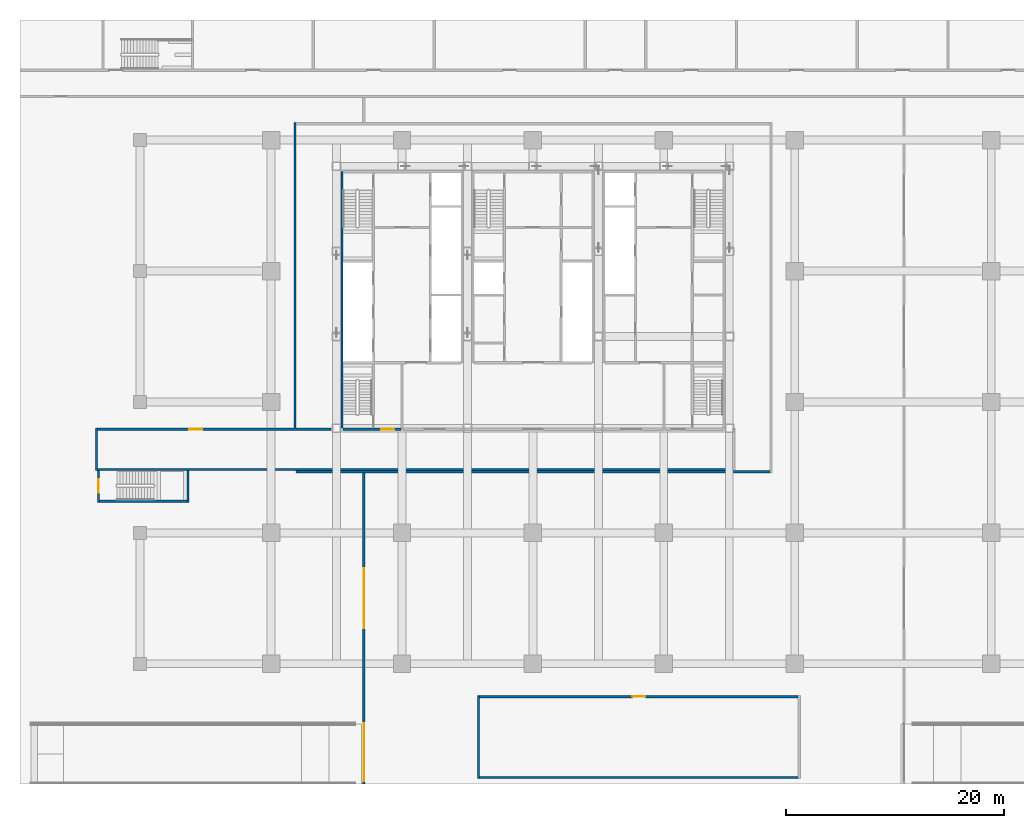
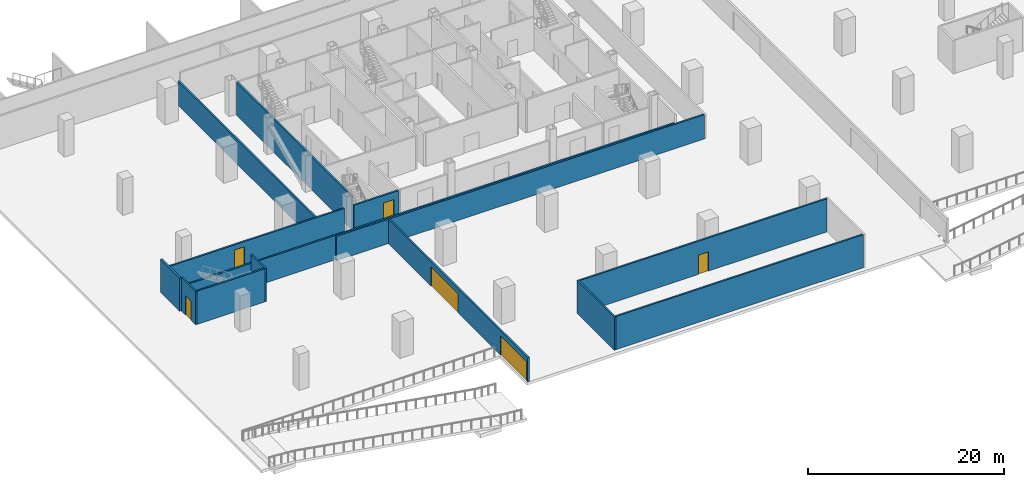
# One storey, part 3 of 15: 14 walls, 6 doors, 6 openings.
"""IFC4 building model written with IfcOpenShell, lengths in metres."""

from ifc_helpers import new_model, si_unit, direction, frame, frame_2d, origin, place, context, subcontext, project, spatial, rectangle, extrude, material, layer, layer_set, type_object, element, fill, save


model = new_model("IFC4")

# Units and contexts
model_context = context("Model", 3, precision=1e-05, world=origin(), true_north=direction((0.0, 1.0)))
body_context = subcontext(model_context, "Body", "Model", "MODEL_VIEW")
ifc_project = project(units=[si_unit("LENGTHUNIT", "METRE"), si_unit("AREAUNIT", "SQUARE_METRE"), si_unit("VOLUMEUNIT", "CUBIC_METRE"), si_unit("PLANEANGLEUNIT", "RADIAN"), si_unit("MASSUNIT", "GRAM", prefix="KILO")], contexts=[model_context])

# Site, building, storey
site_placement = place(None, origin())
site = spatial("IfcSite", under=ifc_project, at=site_placement, CompositionType="ELEMENT")
building_placement = place(site_placement, origin())
building = spatial("IfcBuilding", under=site, at=building_placement, Name="Sorahane Residences", CompositionType="ELEMENT")
storey_placement = place(building_placement, frame((0.0, 0.0, -9.0)))
storey = spatial("IfcBuildingStorey", under=building, at=storey_placement, Name="B2", CompositionType="ELEMENT", Elevation=-9.0)

# Walls
ifc_material_1 = material(Name="Concrete C30", Category="concrete")
ifc_layer_1 = layer(ifc_material_1, 0.199951171875)
ifc_layer_set_1 = layer_set([ifc_layer_1], Name="Core face wall 200 EI 180")
wall_type_1 = type_object("IfcWallType", Name="Core face wall 200 EI 180", PredefinedType="SOLIDWALL", material=ifc_layer_set_1)
wall_1_placement = place(storey_placement, frame((6.5, 21.60009765625, 0.0), z_axis=(0.0, 0.0, 1.0), x_axis=(0.0, 1.0, 0.0)))
element("IfcWall", 1, at=wall_1_placement, inside=storey, type_object=wall_type_1, Name="B2 core face wall", PredefinedType="SOLIDWALL", context=body_context, shape_type="SweptSolid", body=[
    extrude(rectangle(XDim=23.5, YDim=0.199951171875, at=frame_2d((11.75, 0.0))), origin(), (0.0, 0.0, 1.0), 4.139892578125),
])
ifc_material_2 = material(Name="Concrete blockwork C20 wall", Category="masonry")
ifc_layer_2 = layer(ifc_material_2, 0.199951171875)
ifc_layer_set_2 = layer_set([ifc_layer_2], Name="Fire wall 200 EI 120")
wall_type_2 = type_object("IfcWallType", Name="Fire wall 200 EI 120", PredefinedType="SOLIDWALL", material=ifc_layer_set_2)
wall_2_placement = place(storey_placement, frame((-16.0, 17.699951171875, 0.0), z_axis=(0.0, 0.0, 1.0), x_axis=(0.0, 1.0, 0.0)))
element("IfcWall", 2, at=wall_2_placement, inside=storey, type_object=wall_type_2, Name="B2 fire wall", PredefinedType="SOLIDWALL", context=body_context, shape_type="SweptSolid", body=[
    extrude(rectangle(XDim=3.900146484375, YDim=0.199951171875, at=frame_2d((1.9501953125, 0.0))), origin(), (0.0, 0.0, 1.0), 4.139892578125),
])

# Wall, opening, door
wall_3_placement = place(storey_placement, frame((-15.800048828125, 14.800048828125, 0.0), z_axis=(0.0, 0.0, 1.0), x_axis=(0.0, 1.0, 0.0)))
wall_3 = element("IfcWall", 3, at=wall_3_placement, inside=storey, type_object=wall_type_2, Name="B2 fire wall", PredefinedType="SOLIDWALL", context=body_context, shape_type="SweptSolid", body=[
    extrude(rectangle(XDim=2.89990234375, YDim=0.199951171875, at=frame_2d((1.449951171875, 0.0))), origin(), (0.0, 0.0, 1.0), 4.139892578125),
])
opening_1_placement = place(wall_3_placement, frame((0.89990234375, 0.0, 0.0)))
opening_1 = element("IfcOpeningElement", 4, at=opening_1_placement, cuts=wall_3, Name="Opening B2-11", PredefinedType="OPENING", context=body_context, shape_type="SweptSolid", body=[
    extrude(rectangle(XDim=1.199951171875, YDim=2.39990234375, at=frame_2d((0.60009765625, 1.199951171875))), frame((0.0, 0.10986328125, 0.0), z_axis=(0.0, -1.0, 0.0), x_axis=(1.0, 0.0, 0.0)), (0.0, 0.0, 1.0), 0.219970703125),
])
ifc_material_3 = material(Name="Steel", Category="steel")
door_type_1 = type_object("IfcDoorType", Name="Stair door 1200x2400 FD60", OperationType="NOTDEFINED", PredefinedType="DOOR", material=ifc_material_3)
door_1_placement = place(opening_1_placement, origin())
door_1 = element("IfcDoor", 5, at=door_1_placement, inside=storey, type_object=door_type_1, Name="Stair door B2-11", OperationType="SINGLE_SWING_LEFT", OverallHeight=2.39990234375, OverallWidth=1.199951171875, PredefinedType="DOOR", context=body_context, shape_type="SweptSolid", body=[
    extrude(rectangle(XDim=1.199951171875, YDim=2.39990234375, at=frame_2d((0.60009765625, 1.199951171875))), frame((0.0, 0.02490234375, 0.0), z_axis=(0.0, -1.0, 0.0), x_axis=(1.0, 0.0, 0.0)), (0.0, 0.0, 1.0), 0.050048828125),
])
fill(opening_1, door_1)

# Walls
wall_4_placement = place(storey_placement, frame((-7.60009765625, 14.800048828125, 0.0), z_axis=(0.0, 0.0, 1.0), x_axis=(0.0, 1.0, 0.0)))
element("IfcWall", 6, at=wall_4_placement, inside=storey, type_object=wall_type_2, Name="B2 fire wall", PredefinedType="SOLIDWALL", context=body_context, shape_type="SweptSolid", body=[
    extrude(rectangle(XDim=2.89990234375, YDim=0.199951171875, at=frame_2d((1.449951171875, 0.0))), origin(), (0.0, 0.0, 1.0), 4.139892578125),
])
wall_5_placement = place(storey_placement, frame((2.199951171875, 21.60009765625, 0.0), z_axis=(0.0, 0.0, 1.0), x_axis=(0.0, 1.0, 0.0)))
element("IfcWall", 7, at=wall_5_placement, inside=storey, type_object=wall_type_2, Name="B2 fire wall", PredefinedType="SOLIDWALL", context=body_context, shape_type="SweptSolid", body=[
    extrude(rectangle(XDim=28.0, YDim=0.199951171875, at=frame_2d((14.0, 0.0))), origin(), (0.0, 0.0, 1.0), 3.0400390625),
])

# Wall, openings, doors
wall_6_placement = place(storey_placement, frame((8.5, -11.0, 0.0), z_axis=(0.0, 0.0, 1.0), x_axis=(0.0, 1.0, 0.0)))
wall_6 = element("IfcWall", 8, at=wall_6_placement, inside=storey, type_object=wall_type_2, Name="B2 fire wall", PredefinedType="SOLIDWALL", context=body_context, shape_type="SweptSolid", body=[
    extrude(rectangle(XDim=28.5, YDim=0.199951171875, at=frame_2d((14.25, 0.0))), origin(), (0.0, 0.0, 1.0), 3.0400390625),
])
opening_2_placement = place(wall_6_placement, frame((0.25, 0.0, 0.0)))
opening_2 = element("IfcOpeningElement", 9, at=opening_2_placement, cuts=wall_6, Name="Opening B2-17", PredefinedType="OPENING", context=body_context, shape_type="SweptSolid", body=[
    extrude(rectangle(XDim=5.300048828125, YDim=2.39990234375, at=frame_2d((2.64990234375, 1.199951171875))), frame((0.0, 0.10986328125, 0.0), z_axis=(0.0, -1.0, 0.0), x_axis=(1.0, 0.0, 0.0)), (0.0, 0.0, 1.0), 0.219970703125),
])
opening_3_placement = place(wall_6_placement, frame((14.25, 0.0, 0.0)))
opening_3 = element("IfcOpeningElement", 10, at=opening_3_placement, cuts=wall_6, Name="Opening B2-18", PredefinedType="OPENING", context=body_context, shape_type="SweptSolid", body=[
    extrude(rectangle(XDim=5.5, YDim=2.39990234375, at=frame_2d((2.75, 1.199951171875))), frame((0.0, 0.10986328125, 0.0), z_axis=(0.0, -1.0, 0.0), x_axis=(1.0, 0.0, 0.0)), (0.0, 0.0, 1.0), 0.219970703125),
])
ifc_material_4 = material(Name="Steel", Category="steel")
door_type_2 = type_object("IfcDoorType", Name="Fire door 5300x2400 FD60", OperationType="NOTDEFINED", PredefinedType="DOOR", material=ifc_material_4)
door_2_placement = place(opening_2_placement, origin())
door_2 = element("IfcDoor", 11, at=door_2_placement, inside=storey, type_object=door_type_2, Name="Fire door B2-17", OperationType="SINGLE_SWING_LEFT", OverallHeight=2.39990234375, OverallWidth=5.300048828125, PredefinedType="DOOR", context=body_context, shape_type="SweptSolid", body=[
    extrude(rectangle(XDim=5.300048828125, YDim=2.39990234375, at=frame_2d((2.64990234375, 1.199951171875))), frame((0.0, 0.02490234375, 0.0), z_axis=(0.0, -1.0, 0.0), x_axis=(1.0, 0.0, 0.0)), (0.0, 0.0, 1.0), 0.050048828125),
])
fill(opening_2, door_2)
ifc_material_5 = material(Name="Steel", Category="steel")
door_type_3 = type_object("IfcDoorType", Name="Fire door 5500x2400 FD60", OperationType="NOTDEFINED", PredefinedType="DOOR", material=ifc_material_5)
door_3_placement = place(opening_3_placement, origin())
door_3 = element("IfcDoor", 12, at=door_3_placement, inside=storey, type_object=door_type_3, Name="Fire door B2-18", OperationType="SINGLE_SWING_RIGHT", OverallHeight=2.39990234375, OverallWidth=5.5, PredefinedType="DOOR", context=body_context, shape_type="SweptSolid", body=[
    extrude(rectangle(XDim=5.5, YDim=2.39990234375, at=frame_2d((2.75, 1.199951171875))), frame((0.0, 0.02490234375, 0.0), z_axis=(0.0, -1.0, 0.0), x_axis=(1.0, 0.0, 0.0)), (0.0, 0.0, 1.0), 0.050048828125),
])
fill(opening_3, door_3)

# Wall
wall_7_placement = place(storey_placement, frame((2.300048828125, 17.60009765625, 0.0), z_axis=(0.0, 0.0, 1.0), x_axis=(1.0, 0.0, 0.0)))
element("IfcWall", 13, at=wall_7_placement, inside=storey, type_object=wall_type_2, Name="B2 fire wall", PredefinedType="SOLIDWALL", context=body_context, shape_type="SweptSolid", body=[
    extrude(rectangle(XDim=43.39990234375, YDim=0.199951171875, at=frame_2d((21.699951171875, 0.0))), origin(), (0.0, 0.0, 1.0), 3.0400390625),
])

# Wall, opening, door
wall_8_placement = place(storey_placement, frame((-15.89990234375, 21.5, 0.0), z_axis=(0.0, 0.0, 1.0), x_axis=(1.0, 0.0, 0.0)))
wall_8 = element("IfcWall", 14, at=wall_8_placement, inside=storey, type_object=wall_type_2, Name="B2 fire wall", PredefinedType="SOLIDWALL", context=body_context, shape_type="SweptSolid", body=[
    extrude(rectangle(XDim=21.39990234375, YDim=0.199951171875, at=frame_2d((10.699951171875, 0.0))), origin(), (0.0, 0.0, 1.0), 3.0400390625),
])
opening_4_placement = place(wall_8_placement, frame((8.39990234375, 0.0, 0.0)))
opening_4 = element("IfcOpeningElement", 15, at=opening_4_placement, cuts=wall_8, Name="Opening B2-13", PredefinedType="OPENING", context=body_context, shape_type="SweptSolid", body=[
    extrude(rectangle(XDim=1.199951171875, YDim=2.39990234375, at=frame_2d((0.60009765625, 1.199951171875))), frame((0.0, 0.10986328125, 0.0), z_axis=(0.0, -1.0, 0.0), x_axis=(1.0, 0.0, 0.0)), (0.0, 0.0, 1.0), 0.219970703125),
])
ifc_material_6 = material(Name="Steel", Category="steel")
door_type_4 = type_object("IfcDoorType", Name="Fire door 1200x2400 FD60", OperationType="NOTDEFINED", PredefinedType="DOOR", material=ifc_material_6)
door_4_placement = place(opening_4_placement, origin())
door_4 = element("IfcDoor", 16, at=door_4_placement, inside=storey, type_object=door_type_4, Name="Fire door B2-13", OperationType="SINGLE_SWING_LEFT", OverallHeight=2.39990234375, OverallWidth=1.199951171875, PredefinedType="DOOR", context=body_context, shape_type="SweptSolid", body=[
    extrude(rectangle(XDim=1.199951171875, YDim=2.39990234375, at=frame_2d((0.60009765625, 1.199951171875))), frame((0.0, 0.02490234375, 0.0), z_axis=(0.0, -1.0, 0.0), x_axis=(1.0, 0.0, 0.0)), (0.0, 0.0, 1.0), 0.050048828125),
])
fill(opening_4, door_4)

# Walls
ifc_material_7 = material(Name="Concrete blockwork C20 wall", Category="masonry")
ifc_layer_3 = layer(ifc_material_7, 0.199951171875)
ifc_layer_set_3 = layer_set([ifc_layer_3], Name="Plant wall 200 EI 120")
wall_type_3 = type_object("IfcWallType", Name="Plant wall 200 EI 120", PredefinedType="SOLIDWALL", material=ifc_layer_set_3)
wall_9_placement = place(storey_placement, frame((19.0, -10.5, 0.0), z_axis=(0.0, 0.0, 1.0), x_axis=(0.0, 1.0, 0.0)))
element("IfcWall", 17, at=wall_9_placement, inside=storey, type_object=wall_type_3, Name="B2 plant wall", PredefinedType="SOLIDWALL", context=body_context, shape_type="SweptSolid", body=[
    extrude(rectangle(XDim=7.60009765625, YDim=0.199951171875, at=frame_2d((3.800048828125, 0.0))), origin(), (0.0, 0.0, 1.0), 4.139892578125),
])
wall_10_placement = place(storey_placement, frame((19.10009765625, -10.39990234375, 0.0), z_axis=(0.0, 0.0, 1.0), x_axis=(1.0, 0.0, 0.0)))
element("IfcWall", 18, at=wall_10_placement, inside=storey, type_object=wall_type_3, Name="B2 plant wall", PredefinedType="SOLIDWALL", context=body_context, shape_type="SweptSolid", body=[
    extrude(rectangle(XDim=29.199951171875, YDim=0.199951171875, at=frame_2d((14.60009765625, 0.0))), origin(), (0.0, 0.0, 1.0), 4.139892578125),
])

# Wall, opening, door
wall_11_placement = place(storey_placement, frame((19.10009765625, -3.0, 0.0), z_axis=(0.0, 0.0, 1.0), x_axis=(1.0, 0.0, 0.0)))
wall_11 = element("IfcWall", 19, at=wall_11_placement, inside=storey, type_object=wall_type_3, Name="B2 plant wall", PredefinedType="SOLIDWALL", context=body_context, shape_type="SweptSolid", body=[
    extrude(rectangle(XDim=29.199951171875, YDim=0.199951171875, at=frame_2d((14.60009765625, 0.0))), origin(), (0.0, 0.0, 1.0), 4.139892578125),
])
opening_5_placement = place(wall_11_placement, frame((14.0, 0.0, 0.0)))
opening_5 = element("IfcOpeningElement", 20, at=opening_5_placement, cuts=wall_11, Name="Opening B2-16", PredefinedType="OPENING", context=body_context, shape_type="SweptSolid", body=[
    extrude(rectangle(XDim=1.199951171875, YDim=2.39990234375, at=frame_2d((0.60009765625, 1.199951171875))), frame((0.0, 0.10986328125, 0.0), z_axis=(0.0, -1.0, 0.0), x_axis=(1.0, 0.0, 0.0)), (0.0, 0.0, 1.0), 0.219970703125),
])
ifc_material_8 = material(Name="Steel", Category="steel")
door_type_5 = type_object("IfcDoorType", Name="Plant door 1200x2400 FD60", OperationType="NOTDEFINED", PredefinedType="DOOR", material=ifc_material_8)
door_5_placement = place(opening_5_placement, frame((1.199951171875, 0.0, 0.0), z_axis=(0.0, 0.0, 1.0), x_axis=(-1.0, 0.0, 0.0)))
door_5 = element("IfcDoor", 21, at=door_5_placement, inside=storey, type_object=door_type_5, Name="Plant door B2-16", OperationType="SINGLE_SWING_LEFT", OverallHeight=2.39990234375, OverallWidth=1.199951171875, PredefinedType="DOOR", context=body_context, shape_type="SweptSolid", body=[
    extrude(rectangle(XDim=1.199951171875, YDim=2.39990234375, at=frame_2d((0.60009765625, 1.199951171875))), frame((0.0, 0.02490234375, 0.0), z_axis=(0.0, -1.0, 0.0), x_axis=(1.0, 0.0, 0.0)), (0.0, 0.0, 1.0), 0.050048828125),
])
fill(opening_5, door_5)

# Walls
ifc_material_9 = material(Name="Concrete C30", Category="concrete")
ifc_layer_4 = layer(ifc_material_9, 0.199951171875)
ifc_layer_set_4 = layer_set([ifc_layer_4], Name="Stair enclosure wall 200 EI 120")
wall_type_4 = type_object("IfcWallType", Name="Stair enclosure wall 200 EI 120", PredefinedType="SOLIDWALL", material=ifc_layer_set_4)
wall_12_placement = place(storey_placement, frame((-15.699951171875, 14.89990234375, 0.0), z_axis=(0.0, 0.0, 1.0), x_axis=(1.0, 0.0, 0.0)))
element("IfcWall", 22, at=wall_12_placement, inside=storey, type_object=wall_type_4, Name="B2 fire wall", PredefinedType="SOLIDWALL", context=body_context, shape_type="SweptSolid", body=[
    extrude(rectangle(XDim=8.0, YDim=0.199951171875, at=frame_2d((4.0, 0.0))), origin(), (0.0, 0.0, 1.0), 4.139892578125),
])
wall_13_placement = place(storey_placement, frame((-15.89990234375, 17.800048828125, 0.0), z_axis=(0.0, 0.0, 1.0), x_axis=(1.0, 0.0, 0.0)))
element("IfcWall", 23, at=wall_13_placement, inside=storey, type_object=wall_type_4, Name="B2 fire wall", PredefinedType="SOLIDWALL", context=body_context, shape_type="SweptSolid", body=[
    extrude(rectangle(XDim=58.199951171875, YDim=0.199951171875, at=frame_2d((29.10009765625, 0.0))), origin(), (0.0, 0.0, 1.0), 3.0400390625),
])

# Wall, opening, door
wall_14_placement = place(storey_placement, frame((6.60009765625, 21.5, 0.0), z_axis=(0.0, 0.0, 1.0), x_axis=(1.0, 0.0, 0.0)))
wall_14 = element("IfcWall", 24, at=wall_14_placement, inside=storey, type_object=wall_type_4, Name="B2 stair enclosure wall", PredefinedType="SOLIDWALL", context=body_context, shape_type="SweptSolid", body=[
    extrude(rectangle(XDim=5.2998046875, YDim=0.199951171875, at=frame_2d((2.64990234375, 0.0))), origin(), (0.0, 0.0, 1.0), 3.0400390625),
])
opening_6_placement = place(wall_14_placement, frame((3.5, 0.0, 0.0)))
opening_6 = element("IfcOpeningElement", 25, at=opening_6_placement, cuts=wall_14, Name="Opening B2-C04", PredefinedType="OPENING", context=body_context, shape_type="SweptSolid", body=[
    extrude(rectangle(XDim=1.199951171875, YDim=2.10009765625, at=frame_2d((0.60009765625, 1.050048828125))), frame((0.0, 0.10986328125, 0.0), z_axis=(0.0, -1.0, 0.0), x_axis=(1.0, 0.0, 0.0)), (0.0, 0.0, 1.0), 0.219970703125),
])
ifc_material_10 = material(Name="Steel", Category="steel")
door_type_6 = type_object("IfcDoorType", Name="Stair front room door 1200x2100 FD120", OperationType="NOTDEFINED", PredefinedType="DOOR", material=ifc_material_10)
door_6_placement = place(opening_6_placement, frame((1.199951171875, 0.0, 0.0), z_axis=(0.0, 0.0, 1.0), x_axis=(-1.0, 0.0, 0.0)))
door_6 = element("IfcDoor", 26, at=door_6_placement, inside=storey, type_object=door_type_6, Name="Stair front room door Stair S4 front room B2", OperationType="SINGLE_SWING_RIGHT", OverallHeight=2.10009765625, OverallWidth=1.199951171875, PredefinedType="DOOR", context=body_context, shape_type="SweptSolid", body=[
    extrude(rectangle(XDim=1.199951171875, YDim=2.10009765625, at=frame_2d((0.60009765625, 1.050048828125))), frame((0.0, 0.02490234375, 0.0), z_axis=(0.0, -1.0, 0.0), x_axis=(1.0, 0.0, 0.0)), (0.0, 0.0, 1.0), 0.050048828125),
])
fill(opening_6, door_6)

save(model, "model.ifc")
